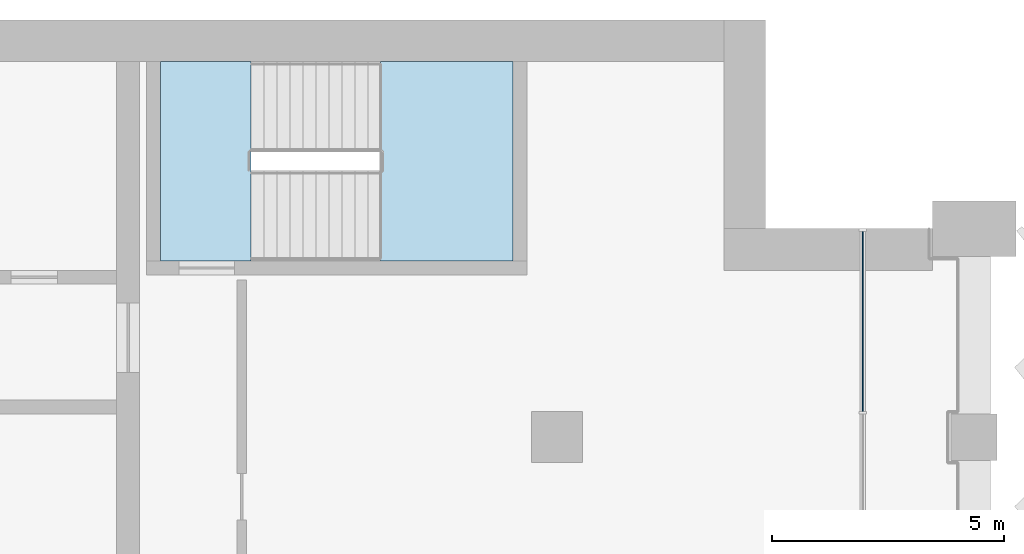
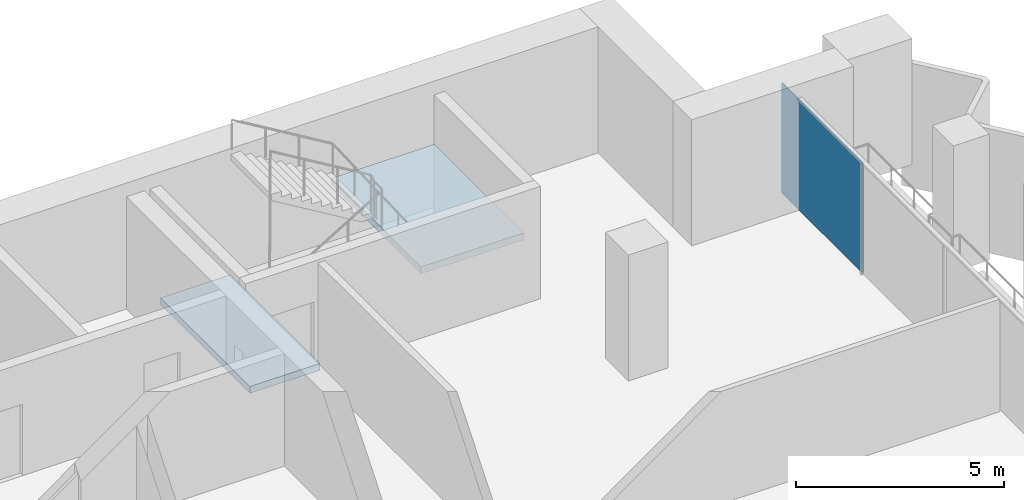
# One storey, part 8 of 19: 2 slabs, 1 plate, 2 elements without a shape of their own.
"""IFC4 building model written with IfcOpenShell, lengths in metres."""

import ifcopenshell
import ifcopenshell.guid

model = None  # the IFC model being written
_history = None  # IfcOwnerHistory: only IFC2X3 demands one
_inside = {}  # id of a spatial element -> (the spatial element, [elements in it])
_under = {}  # id of a project, library or spatial element -> (it, [spatial elements below it])
_declared = {}  # id of a project -> (the project, [libraries it declares])
_typed = {}  # id of a type object -> (the type object, [elements of that type])
_made_of = {}  # id of a material, layer set ... -> (it, [elements and type objects made of it])


def new_model(schema):
    """Start an empty IFC model of exactly this schema.

    Asked for "IFC4X3", IfcOpenShell would pick the latest addendum, in which some entities
    have other attributes; the version numbers below select the first issue.
    IFC2X3 requires an IfcOwnerHistory on every rooted entity: one is made here for all.
    """
    global model, _history
    if schema == "IFC4X3":
        model = ifcopenshell.file(schema_version=(4, 3, 0, 0))
    else:
        model = ifcopenshell.file(schema=schema)
    _inside.clear()
    _under.clear()
    _declared.clear()
    _typed.clear()
    _made_of.clear()
    _history = None
    if model.schema == "IFC2X3":
        org = make("IfcOrganization", Name="unknown")
        user = make(
            "IfcPersonAndOrganization",
            ThePerson=make("IfcPerson", FamilyName="unknown"),
            TheOrganization=org,
        )
        app = make(
            "IfcApplication",
            ApplicationDeveloper=org,
            Version="unknown",
            ApplicationFullName="unknown",
            ApplicationIdentifier="unknown",
        )
        _history = make(
            "IfcOwnerHistory",
            OwningUser=user,
            OwningApplication=app,
            ChangeAction="ADDED",
            CreationDate=0,
        )
    return model


def make(cls, **values):
    """One entity of the class cls with the attributes given. An attribute that is None is left unset."""
    return model.create_entity(
        cls, **{name: value for name, value in values.items() if value is not None}
    )


def rooted(cls, **values):
    """An entity with a GlobalId (a new one), such as an element, a storey or a relation."""
    return make(cls, GlobalId=ifcopenshell.guid.new(), OwnerHistory=_history, **values)


def si_unit(unit_type, name, prefix=None):
    """IfcSIUnit, for example si_unit("LENGTHUNIT", "METRE", prefix="MILLI")."""
    return make("IfcSIUnit", UnitType=unit_type, Prefix=prefix, Name=name)


def assignment(units):
    """IfcUnitAssignment: the units of a project."""
    return None if units is None else make("IfcUnitAssignment", Units=units)


def point(xyz):
    """IfcCartesianPoint."""
    return None if xyz is None else make("IfcCartesianPoint", Coordinates=xyz)


def direction(xyz):
    """IfcDirection."""
    return None if xyz is None else make("IfcDirection", DirectionRatios=xyz)


def frame(location, z_axis=None, x_axis=None):
    """IfcAxis2Placement3D, a coordinate frame: its origin and axes. An axis left out is left unset."""
    return make(
        "IfcAxis2Placement3D",
        Location=point(location),
        Axis=direction(z_axis),
        RefDirection=direction(x_axis),
    )


def frame_2d(location, x_axis=None):
    """IfcAxis2Placement2D, a coordinate frame in the plane: its origin and x axis."""
    return make(
        "IfcAxis2Placement2D", Location=point(location), RefDirection=direction(x_axis)
    )


def origin():
    """The frame at (0, 0, 0) with its axes left unset."""
    return frame((0.0, 0.0, 0.0))


def origin_2d():
    """The frame at (0, 0) in the plane with its x axis left unset."""
    return frame_2d((0.0, 0.0))


def place(relative_to, where):
    """IfcLocalPlacement: puts the frame where relative to a parent placement (None: the world)."""
    return make(
        "IfcLocalPlacement", PlacementRelTo=relative_to, RelativePlacement=where
    )


def context(
    kind, dimensions, precision=None, world=None, true_north=None, identifier=None
):
    """IfcGeometricRepresentationContext, for example the 3D "Model" context."""
    return make(
        "IfcGeometricRepresentationContext",
        ContextIdentifier=identifier,
        ContextType=kind,
        CoordinateSpaceDimension=dimensions,
        Precision=precision,
        WorldCoordinateSystem=world,
        TrueNorth=true_north,
    )


def subcontext(parent, identifier, kind, view, scale=None):
    """IfcGeometricRepresentationSubContext, for example "Body" below "Model"."""
    return make(
        "IfcGeometricRepresentationSubContext",
        ContextIdentifier=identifier,
        ContextType=kind,
        ParentContext=parent,
        TargetScale=scale,
        TargetView=view,
    )


def project(units=None, contexts=None):
    """IfcProject with its units and contexts."""
    return rooted(
        "IfcProject",
        Name="project",
        RepresentationContexts=contexts,
        UnitsInContext=assignment(units),
    )


def spatial(cls, under=None, at=None, **own):
    """A site, building, storey or space (cls), placed at a placement, below another one or the project."""
    s = rooted(cls, ObjectPlacement=at, **own)
    if under is not None:
        _under.setdefault(under.id(), (under, []))[1].append(s)
    return s


def polyline(points):
    """IfcPolyline through the points."""
    return make("IfcPolyline", Points=[point(p) for p in points])


def profile(cls, at=None, kind="AREA", **sizes):
    """A parametric profile (cls). Its sizes go by their IFC names, for example OverallWidth=200.0."""
    return make(cls, ProfileType=kind, Position=at, **sizes)


def rectangle(**sizes):
    """IfcRectangleProfileDef."""
    return profile("IfcRectangleProfileDef", **sizes)


def outline(outer, holes=None, kind="AREA"):
    """IfcArbitraryClosedProfileDef: a profile drawn as a closed curve; with holes, ...WithVoids."""
    if holes is None:
        return make("IfcArbitraryClosedProfileDef", ProfileType=kind, OuterCurve=outer)
    return make(
        "IfcArbitraryProfileDefWithVoids",
        ProfileType=kind,
        OuterCurve=outer,
        InnerCurves=holes,
    )


def extrude(swept, where, along, depth):
    """IfcExtrudedAreaSolid: the profile swept, set in the frame where, extruded along a direction by depth."""
    return make(
        "IfcExtrudedAreaSolid",
        SweptArea=swept,
        Position=where,
        ExtrudedDirection=direction(along),
        Depth=depth,
    )


def shape(context_of_items, identifier, shape_type, items):
    """IfcShapeRepresentation: the items that make up one representation, for example the "Body"."""
    return make(
        "IfcShapeRepresentation",
        ContextOfItems=context_of_items,
        RepresentationIdentifier=identifier,
        RepresentationType=shape_type,
        Items=items,
    )


def material(Name=None, Category=None):
    """IfcMaterial."""
    return make("IfcMaterial", Name=Name, Category=Category)


def layer(
    of_material, thickness, ventilated=None, Name=None, Category=None, Priority=None
):
    """IfcMaterialLayer: one layer of a wall or slab, of a material (None: an air gap)."""
    return make(
        "IfcMaterialLayer",
        Material=of_material,
        LayerThickness=thickness,
        IsVentilated=ventilated,
        Name=Name,
        Category=Category,
        Priority=Priority,
    )


def layer_set(layers, Name=None):
    """IfcMaterialLayerSet."""
    return make("IfcMaterialLayerSet", MaterialLayers=layers, LayerSetName=Name)


def made_of(thing, what):
    """Note that an element or type object is made of a material, layer set ...; save() writes the relation."""
    if what is not None:
        _made_of.setdefault(what.id(), (what, []))[1].append(thing)
    return thing


def type_object(cls, material=None, **own):
    """A type object (cls), such as IfcWallType, which elements share."""
    return made_of(rooted(cls, **own), material)


def element(
    cls,
    number,
    at=None,
    inside=None,
    cuts=None,
    type_object=None,
    material=None,
    context=None,
    identifier="Body",
    shape_type=None,
    held_by="IfcProductDefinitionShape",
    body=None,
    shapes=None,
    **own,
):
    """One element of the class cls, such as IfcWall. Its Tag is "e" and its number.

    at: its placement. inside: the storey or other place that contains it. cuts: it is an
    opening in that element (IfcRelVoidsElement). A single representation is given by context,
    identifier, shape_type and body (its items); several are given by shapes. held_by: the class
    of the entity that holds the representations. save() writes the other relations.
    """
    e = rooted(cls, Tag="e%d" % number, ObjectPlacement=at, **own)
    if body is not None:
        shapes = [shape(context, identifier, shape_type, body)]
    if shapes is not None:
        e.Representation = make(held_by, Representations=shapes)
    if inside is not None:
        _inside.setdefault(inside.id(), (inside, []))[1].append(e)
    if cuts is not None:
        rooted(
            "IfcRelVoidsElement", RelatingBuildingElement=cuts, RelatedOpeningElement=e
        )
    if type_object is not None:
        _typed.setdefault(type_object.id(), (type_object, []))[1].append(e)
    return made_of(e, material)


def aggregate(whole, parts):
    """IfcRelAggregates: a whole, such as a stair, and the parts it consists of."""
    return rooted("IfcRelAggregates", RelatingObject=whole, RelatedObjects=parts)


def save(model, path):
    """Write the relations noted so far, then the file.

    IfcRelAggregates (storeys below a building ...), IfcRelContainedInSpatialStructure (elements
    in a storey), IfcRelDefinesByType, IfcRelAssociatesMaterial and IfcRelDeclares: one each for
    every whole, place, type object, material and project.
    """
    for whole, parts in _under.values():
        aggregate(whole, parts)
    for where, things in _inside.values():
        rooted(
            "IfcRelContainedInSpatialStructure",
            RelatedElements=things,
            RelatingStructure=where,
        )
    for kind, things in _typed.values():
        rooted("IfcRelDefinesByType", RelatedObjects=things, RelatingType=kind)
    for what, things in _made_of.values():
        rooted("IfcRelAssociatesMaterial", RelatedObjects=things, RelatingMaterial=what)
    for by, libraries in _declared.values():
        rooted("IfcRelDeclares", RelatingContext=by, RelatedDefinitions=libraries)
    model.write(path)


model = new_model("IFC4")

# Units and contexts
model_context = context("Model", 3, precision=1e-05, world=origin(), true_north=direction((0.0, 1.0)))
body_context = subcontext(model_context, "Body", "Model", "MODEL_VIEW")
ifc_project = project(units=[si_unit("LENGTHUNIT", "METRE"), si_unit("AREAUNIT", "SQUARE_METRE"), si_unit("VOLUMEUNIT", "CUBIC_METRE"), si_unit("PLANEANGLEUNIT", "RADIAN"), si_unit("MASSUNIT", "GRAM", prefix="KILO")], contexts=[model_context])

# Site, building, storey
site_placement = place(None, origin())
site = spatial("IfcSite", under=ifc_project, at=site_placement, CompositionType="ELEMENT")
building_placement = place(site_placement, origin())
building = spatial("IfcBuilding", under=site, at=building_placement, Name="Hunhe Ridgeline Campus", CompositionType="ELEMENT")
storey_placement = place(building_placement, frame((0.0, 0.0, 216.10009765625)))
storey = spatial("IfcBuildingStorey", under=building, at=storey_placement, Name="L55", CompositionType="ELEMENT", Elevation=216.10009765625)

# Curtain wall, plate
ifc_material_1 = material(Name="Aluminium 6063", Category="aluminium")
curtain_wall_type = type_object("IfcCurtainWallType", Name="Curtain wall CW-1", PredefinedType="NOTDEFINED", material=ifc_material_1)
curtain_wall_placement = place(storey_placement, origin())
curtain_wall = element("IfcCurtainWall", 1, at=curtain_wall_placement, inside=storey, type_object=curtain_wall_type, Name="Curtain wall 13", PredefinedType="NOTDEFINED")
ifc_material_2 = material(Name="Low-e laminated glass", Category="glass")
ifc_layer_1 = layer(ifc_material_2, 0.028076171875)
ifc_layer_set_1 = layer_set([ifc_layer_1], Name="Curtain wall glass panel 28 low-e laminated")
plate_type = type_object("IfcPlateType", Name="Curtain wall glass panel 28 low-e laminated", PredefinedType="CURTAIN_PANEL", material=ifc_layer_set_1)
plate_placement = place(storey_placement, frame((51.59912109375, 92.49755859375, 0.0), z_axis=(0.0, 0.0, 1.0), x_axis=(0.0, 1.0, 0.0)))
plate = element("IfcPlate", 2, at=plate_placement, type_object=plate_type, Name="CW-1 panel 4", PredefinedType="CURTAIN_PANEL", context=body_context, shape_type="SweptSolid", body=[
    extrude(rectangle(XDim=3.884765625, YDim=0.028076171875, at=origin_2d()), origin(), (0.0, 0.0, 1.0), 3.239990234375),
])
aggregate(curtain_wall, [plate])

# Stair, slab
ifc_material_3 = material(Name="Concrete C40", Category="concrete")
stair_type = type_object("IfcStairType", Name="Reinforced concrete dog-leg stair 1950 Concrete C40", PredefinedType="HALF_TURN_STAIR", material=ifc_material_3)
stair_placement = place(storey_placement, origin())
stair = element("IfcStair", 3, at=stair_placement, inside=storey, type_object=stair_type, Name="L55 E1", PredefinedType="HALF_TURN_STAIR")
ifc_layer_2 = layer(ifc_material_3, 0.199951171875)
ifc_layer_set_2 = layer_set([ifc_layer_2], Name="Reinforced concrete stair landing 200 Concrete C40")
slab_type = type_object("IfcSlabType", Name="Reinforced concrete stair landing 200 Concrete C40", PredefinedType="LANDING", material=ifc_layer_set_2)
slab_1_placement = place(storey_placement, frame((0.0, 0.0, 1.64990234375)))
slab_1 = element("IfcSlab", 4, at=slab_1_placement, type_object=slab_type, Name="ST5 landing 1", PredefinedType="LANDING", context=body_context, shape_type="SweptSolid", body=[
    extrude(outline(polyline([(41.199951171875, 93.800048828125), (44.050048828125, 93.800048828125), (44.050048828125, 98.10009765625), (41.199951171875, 98.10009765625), (41.199951171875, 93.800048828125)])), origin(), (0.0, 0.0, 1.0), 0.199951171875),
])
aggregate(stair, [slab_1])

# Slab
slab_2_placement = place(storey_placement, frame((0.0, 0.0, -0.2001953125)))
element("IfcSlab", 5, at=slab_2_placement, inside=storey, type_object=slab_type, Name="L55 stair E1 floor landing", PredefinedType="LANDING", context=body_context, shape_type="SweptSolid", body=[
    extrude(outline(polyline([(36.449951171875, 93.800048828125), (38.39990234375, 93.800048828125), (38.39990234375, 98.10009765625), (36.449951171875, 98.10009765625), (36.449951171875, 93.800048828125)])), origin(), (0.0, 0.0, 1.0), 0.2001953125),
])

save(model, "model.ifc")
